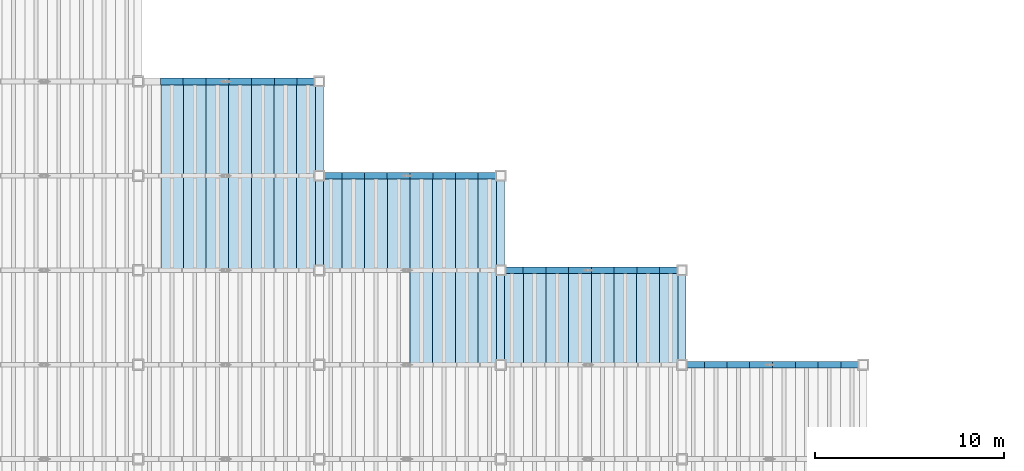
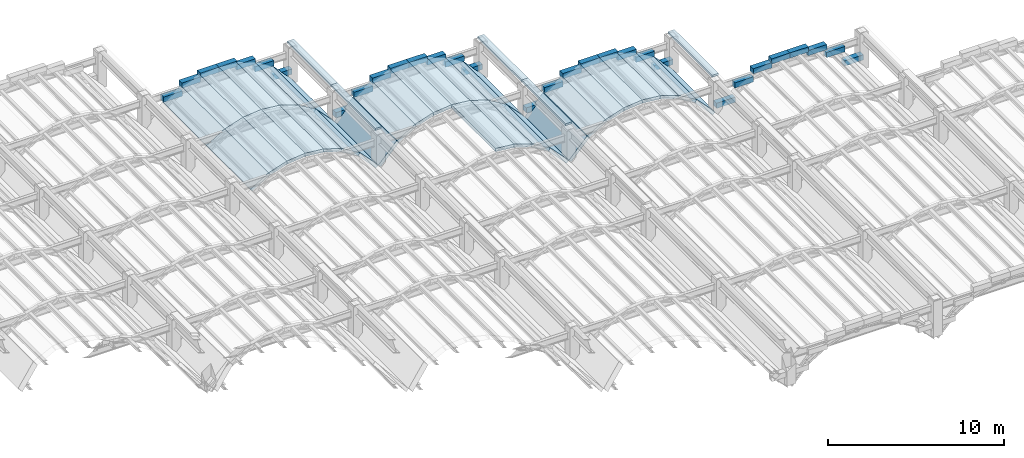
# One storey, part 39 of 70: 36 plates, 34 slabs.
"""IFC4 building model written with IfcOpenShell, lengths in metres."""

from ifc_helpers import new_model, si_unit, direction, frame, origin, origin_2d, place, context, subcontext, project, spatial, polyline, rectangle, outline, extrude, material, layer, layer_set, type_object, element, save


model = new_model("IFC4")

# Units and contexts
model_context = context("Model", 3, precision=1e-05, world=origin(), true_north=direction((0.0, 1.0)))
body_context = subcontext(model_context, "Body", "Model", "MODEL_VIEW")
ifc_project = project(units=[si_unit("LENGTHUNIT", "METRE"), si_unit("AREAUNIT", "SQUARE_METRE"), si_unit("VOLUMEUNIT", "CUBIC_METRE"), si_unit("PLANEANGLEUNIT", "RADIAN"), si_unit("MASSUNIT", "GRAM", prefix="KILO")], contexts=[model_context])

# Site, building, storey
site_placement = place(None, origin())
site = spatial("IfcSite", under=ifc_project, at=site_placement, CompositionType="ELEMENT")
building_placement = place(site_placement, origin())
building = spatial("IfcBuilding", under=site, at=building_placement, Name="Mavantir Sound Aquarium", CompositionType="ELEMENT")
storey_placement = place(building_placement, frame((0.0, 0.0, 27.0)))
storey = spatial("IfcBuildingStorey", under=building, at=storey_placement, Name="RF", CompositionType="ELEMENT", Elevation=27.0)

# Plates
ifc_material_1 = material(Name="Patinated Bronze-Copper Architectural Fascia", Category="metal")
ifc_layer_1 = layer(ifc_material_1, 0.179931640625, Name="Patinated Bronze-Copper Architectural Fascia")
ifc_layer_set_1 = layer_set([ifc_layer_1], Name="Patinated Bronze-Copper Architectural Fascia")
plate_type = type_object("IfcPlateType", Name="PLT-FASCIA-BZ", PredefinedType="SHEET", material=ifc_layer_set_1)
for number, where, z_axis, x_axis, name in (
    (1, (136.800048828125, 73.300048828125, -4.52001953125), (0.0, 0.0, 1.0), (1.0, 0.0, 0.0), "Scalloped roof bronze ridge fascia 32"),
    (2, (136.800048828125, 78.300048828125, -4.52001953125), (0.0, 0.0, 1.0), (1.0, 0.0, 0.0), "Scalloped roof bronze ridge fascia 33"),
    (3, (146.39990234375, 68.300048828125, -4.52001953125), (0.0, 0.0, 1.0), (1.0, 0.0, 0.0), "Scalloped roof bronze ridge fascia 38"),
    (4, (146.39990234375, 73.300048828125, -4.52001953125), (0.0, 0.0, 1.0), (1.0, 0.0, 0.0), "Scalloped roof bronze ridge fascia 39"),
    (5, (156.0, 68.300048828125, -4.52001953125), (0.0, 0.0, 1.0), (1.0, 0.0, 0.0), "Scalloped roof bronze ridge fascia 44"),
):
    element("IfcPlate", number, at=place(storey_placement, frame(where, z_axis=z_axis, x_axis=x_axis)), inside=storey, type_object=plate_type, Name=name, PredefinedType="SHEET", context=body_context, shape_type="SweptSolid", body=[
        extrude(rectangle(XDim=0.419921875, YDim=5.0, at=origin_2d()), origin(), (0.0, 0.0, 1.0), 0.139892578125),
    ])
for number, where, z_axis, x_axis, name in (
    (6, (129.0, 80.800048828125, -5.6455078125), (0.0, 0.0, 1.0), (1.0, 0.0, 0.0), "Scalloped bay 3 curved bronze end fascia 93"),
    (7, (130.199951171875, 80.800048828125, -5.08935546875), (0.0, 0.0, 1.0), (1.0, 0.0, 0.0), "Scalloped bay 3 curved bronze end fascia 94"),
    (8, (131.39990234375, 80.800048828125, -4.83203125), (0.0, 0.0, 1.0), (1.0, 0.0, 0.0), "Scalloped bay 3 curved bronze end fascia 95"),
    (9, (132.60009765625, 80.800048828125, -4.83203125), (0.0, 0.0, 1.0), (1.0, 0.0, 0.0), "Scalloped bay 3 curved bronze end fascia 96"),
    (10, (133.800048828125, 80.800048828125, -5.08935546875), (0.0, 0.0, 1.0), (1.0, 0.0, 0.0), "Scalloped bay 3 curved bronze end fascia 97"),
    (11, (135.0, 80.800048828125, -5.6455078125), (0.0, 0.0, 1.0), (1.0, 0.0, 0.0), "Scalloped bay 3 curved bronze end fascia 98"),
    (12, (136.199951171875, 80.800048828125, -6.638671875), (0.0, 0.0, 1.0), (1.0, 0.0, 0.0), "Scalloped bay 3 curved bronze end fascia 99"),
    (13, (137.39990234375, 75.800048828125, -6.638671875), (0.0, 0.0, 1.0), (1.0, 0.0, 0.0), "Scalloped bay 4 curved bronze end fascia 108"),
    (14, (138.60009765625, 75.800048828125, -5.6455078125), (0.0, 0.0, 1.0), (1.0, 0.0, 0.0), "Scalloped bay 4 curved bronze end fascia 109"),
    (15, (139.800048828125, 75.800048828125, -5.08935546875), (0.0, 0.0, 1.0), (1.0, 0.0, 0.0), "Scalloped bay 4 curved bronze end fascia 110"),
    (16, (141.0, 75.800048828125, -4.83203125), (0.0, 0.0, 1.0), (1.0, 0.0, 0.0), "Scalloped bay 4 curved bronze end fascia 111"),
    (17, (142.199951171875, 75.800048828125, -4.83203125), (0.0, 0.0, 1.0), (1.0, 0.0, 0.0), "Scalloped bay 4 curved bronze end fascia 112"),
    (18, (143.39990234375, 75.800048828125, -5.08935546875), (0.0, 0.0, 1.0), (1.0, 0.0, 0.0), "Scalloped bay 4 curved bronze end fascia 113"),
    (19, (144.60009765625, 75.800048828125, -5.6455078125), (0.0, 0.0, 1.0), (1.0, 0.0, 0.0), "Scalloped bay 4 curved bronze end fascia 114"),
    (20, (145.800048828125, 75.800048828125, -6.638671875), (0.0, 0.0, 1.0), (1.0, 0.0, 0.0), "Scalloped bay 4 curved bronze end fascia 115"),
    (21, (147.0, 70.800048828125, -6.638671875), (0.0, 0.0, 1.0), (1.0, 0.0, 0.0), "Scalloped bay 5 curved bronze end fascia 124"),
    (22, (148.199951171875, 70.800048828125, -5.6455078125), (0.0, 0.0, 1.0), (1.0, 0.0, 0.0), "Scalloped bay 5 curved bronze end fascia 125"),
    (23, (149.39990234375, 70.800048828125, -5.08935546875), (0.0, 0.0, 1.0), (1.0, 0.0, 0.0), "Scalloped bay 5 curved bronze end fascia 126"),
    (24, (150.60009765625, 70.800048828125, -4.83203125), (0.0, 0.0, 1.0), (1.0, 0.0, 0.0), "Scalloped bay 5 curved bronze end fascia 127"),
    (25, (151.800048828125, 70.800048828125, -4.83203125), (0.0, 0.0, 1.0), (1.0, 0.0, 0.0), "Scalloped bay 5 curved bronze end fascia 128"),
    (26, (153.0, 70.800048828125, -5.08935546875), (0.0, 0.0, 1.0), (1.0, 0.0, 0.0), "Scalloped bay 5 curved bronze end fascia 129"),
    (27, (154.199951171875, 70.800048828125, -5.6455078125), (0.0, 0.0, 1.0), (1.0, 0.0, 0.0), "Scalloped bay 5 curved bronze end fascia 130"),
    (28, (155.39990234375, 70.800048828125, -6.638671875), (0.0, 0.0, 1.0), (1.0, 0.0, 0.0), "Scalloped bay 5 curved bronze end fascia 131"),
    (29, (156.60009765625, 65.800048828125, -6.638671875), (0.0, 0.0, 1.0), (1.0, 0.0, 0.0), "Scalloped bay 6 curved bronze end fascia 140"),
    (30, (157.800048828125, 65.800048828125, -5.6455078125), (0.0, 0.0, 1.0), (1.0, 0.0, 0.0), "Scalloped bay 6 curved bronze end fascia 141"),
    (31, (159.0, 65.800048828125, -5.08935546875), (0.0, 0.0, 1.0), (1.0, 0.0, 0.0), "Scalloped bay 6 curved bronze end fascia 142"),
    (32, (160.199951171875, 65.800048828125, -4.83203125), (0.0, 0.0, 1.0), (1.0, 0.0, 0.0), "Scalloped bay 6 curved bronze end fascia 143"),
    (33, (161.39990234375, 65.800048828125, -4.83203125), (0.0, 0.0, 1.0), (1.0, 0.0, 0.0), "Scalloped bay 6 curved bronze end fascia 144"),
    (34, (162.60009765625, 65.800048828125, -5.08935546875), (0.0, 0.0, 1.0), (1.0, 0.0, 0.0), "Scalloped bay 6 curved bronze end fascia 145"),
    (35, (163.800048828125, 65.800048828125, -5.6455078125), (0.0, 0.0, 1.0), (1.0, 0.0, 0.0), "Scalloped bay 6 curved bronze end fascia 146"),
    (36, (165.0, 65.800048828125, -6.638671875), (0.0, 0.0, 1.0), (1.0, 0.0, 0.0), "Scalloped bay 6 curved bronze end fascia 147"),
):
    element("IfcPlate", number, at=place(storey_placement, frame(where, z_axis=z_axis, x_axis=x_axis)), inside=storey, type_object=plate_type, Name=name, PredefinedType="SHEET", context=body_context, shape_type="SweptSolid", body=[
        extrude(rectangle(XDim=1.219970703125, YDim=0.360107421875, at=origin_2d()), origin(), (0.0, 0.0, 1.0), 0.360107421875),
    ])

# Slabs
ifc_material_2 = material(Name="Concrete C40/50", Category="concrete")
ifc_layer_2 = layer(ifc_material_2, 0.219970703125, Name="Concrete C40/50")
ifc_layer_set_2 = layer_set([ifc_layer_2], Name="Concrete C40/50")
slab_type = type_object("IfcSlabType", Name="SLB-RF-SC", PredefinedType="ROOF", material=ifc_layer_set_2)
slab_1_placement = place(storey_placement, frame((128.39990234375, 70.800048828125, -5.716796875), z_axis=(-0.515827757501, 0.0, 0.856692316174), x_axis=(0.856692316174, 0.0, 0.515827757501)))
element("IfcSlab", 37, at=slab_1_placement, inside=storey, type_object=slab_type, Name="Scalloped bay 3 sagging-arc roof panel 178", PredefinedType="ROOF", context=body_context, shape_type="SweptSolid", body=[
    extrude(outline(polyline([(0.0, 0.0), (1.4009642550083266, 0.0), (1.4009642550083266, 5.0), (0.0, 5.0), (0.0, 0.0)])), origin(), (0.0, 0.0, -1.0), 0.219970703125),
])
slab_2_placement = place(storey_placement, frame((129.60009765625, 70.800048828125, -4.994140625), z_axis=(-0.309020441102, 0.0, 0.951055396379), x_axis=(0.951055396379, 0.0, 0.309020441102)))
element("IfcSlab", 38, at=slab_2_placement, inside=storey, type_object=slab_type, Name="Scalloped bay 3 sagging-arc roof panel 179", PredefinedType="ROOF", context=body_context, shape_type="SweptSolid", body=[
    extrude(outline(polyline([(0.0, 0.0), (1.2617048138772973, 0.0), (1.2617048138772973, 5.0), (0.0, 5.0), (0.0, 0.0)])), origin(), (0.0, 0.0, -1.0), 0.219970703125),
])
for number, where, z_axis, x_axis, name in (
    (39, (130.800048828125, 70.800048828125, -4.604248046875), (-0.103009624196, 0.0, 0.994680359373), (0.994680359373, 0.0, 0.103009624196), "Scalloped bay 3 sagging-arc roof panel 180"),
    (40, (132.0, 70.800048828125, -4.47998046875), (0.103009624196, 0.0, 0.994680359373), (0.994680359373, 0.0, -0.103009624196), "Scalloped bay 3 sagging-arc roof panel 181"),
):
    element("IfcSlab", number, at=place(storey_placement, frame(where, z_axis=z_axis, x_axis=x_axis)), inside=storey, type_object=slab_type, Name=name, PredefinedType="ROOF", context=body_context, shape_type="SweptSolid", body=[
        extrude(outline(polyline([(0.0, 0.0), (1.206368619393442, 0.0), (1.206368619393442, 5.000000000000001), (0.0, 5.000000000000001), (0.0, 0.0)])), origin(), (0.0, 0.0, -1.0), 0.219970703125),
    ])
slab_3_placement = place(storey_placement, frame((133.199951171875, 70.800048828125, -4.604248046875), z_axis=(0.309020441102, 0.0, 0.951055396379), x_axis=(0.951055396379, 0.0, -0.309020441102)))
element("IfcSlab", 41, at=slab_3_placement, inside=storey, type_object=slab_type, Name="Scalloped bay 3 sagging-arc roof panel 182", PredefinedType="ROOF", context=body_context, shape_type="SweptSolid", body=[
    extrude(outline(polyline([(0.0, 0.0), (1.2617048138772973, 0.0), (1.2617048138772973, 5.0), (0.0, 5.0), (0.0, 0.0)])), origin(), (0.0, 0.0, -1.0), 0.219970703125),
])
slab_4_placement = place(storey_placement, frame((134.39990234375, 70.800048828125, -4.994140625), z_axis=(0.515827757501, 0.0, 0.856692316174), x_axis=(0.856692316174, 0.0, -0.515827757501)))
element("IfcSlab", 42, at=slab_4_placement, inside=storey, type_object=slab_type, Name="Scalloped bay 3 sagging-arc roof panel 183", PredefinedType="ROOF", context=body_context, shape_type="SweptSolid", body=[
    extrude(outline(polyline([(0.0, 0.0), (1.4009642550083266, 0.0), (1.4009642550083266, 5.0), (0.0, 5.0), (0.0, 0.0)])), origin(), (0.0, 0.0, -1.0), 0.219970703125),
])
slab_5_placement = place(storey_placement, frame((135.60009765625, 70.800048828125, -5.716796875), z_axis=(0.725020424784, 0.0, 0.688727365252), x_axis=(0.688727365252, 0.0, -0.725020424784)))
element("IfcSlab", 43, at=slab_5_placement, inside=storey, type_object=slab_type, Name="Scalloped bay 3 sagging-arc roof panel 184", PredefinedType="ROOF", context=body_context, shape_type="SweptSolid", body=[
    extrude(outline(polyline([(0.0, 0.0), (1.74227311475651, 0.0), (1.74227311475651, 5.0), (0.0, 5.0), (0.0, 0.0)])), origin(), (0.0, 0.0, -1.0), 0.219970703125),
])
slab_6_placement = place(storey_placement, frame((128.39990234375, 75.800048828125, -5.716796875), z_axis=(-0.515827757501, 0.0, 0.856692316174), x_axis=(0.856692316174, 0.0, 0.515827757501)))
element("IfcSlab", 44, at=slab_6_placement, inside=storey, type_object=slab_type, Name="Scalloped bay 3 sagging-arc roof panel 186", PredefinedType="ROOF", context=body_context, shape_type="SweptSolid", body=[
    extrude(outline(polyline([(0.0, 0.0), (1.4009642550083266, 0.0), (1.4009642550083266, 5.0), (0.0, 5.0), (0.0, 0.0)])), origin(), (0.0, 0.0, -1.0), 0.219970703125),
])
slab_7_placement = place(storey_placement, frame((129.60009765625, 75.800048828125, -4.994140625), z_axis=(-0.309020441102, 0.0, 0.951055396379), x_axis=(0.951055396379, 0.0, 0.309020441102)))
element("IfcSlab", 45, at=slab_7_placement, inside=storey, type_object=slab_type, Name="Scalloped bay 3 sagging-arc roof panel 187", PredefinedType="ROOF", context=body_context, shape_type="SweptSolid", body=[
    extrude(outline(polyline([(0.0, 0.0), (1.2617048138772973, 0.0), (1.2617048138772973, 5.0), (0.0, 5.0), (0.0, 0.0)])), origin(), (0.0, 0.0, -1.0), 0.219970703125),
])
for number, where, z_axis, x_axis, name in (
    (46, (130.800048828125, 75.800048828125, -4.604248046875), (-0.103009624196, 0.0, 0.994680359373), (0.994680359373, 0.0, 0.103009624196), "Scalloped bay 3 sagging-arc roof panel 188"),
    (47, (132.0, 75.800048828125, -4.47998046875), (0.103009624196, 0.0, 0.994680359373), (0.994680359373, 0.0, -0.103009624196), "Scalloped bay 3 sagging-arc roof panel 189"),
):
    element("IfcSlab", number, at=place(storey_placement, frame(where, z_axis=z_axis, x_axis=x_axis)), inside=storey, type_object=slab_type, Name=name, PredefinedType="ROOF", context=body_context, shape_type="SweptSolid", body=[
        extrude(outline(polyline([(0.0, 0.0), (1.206368619393442, 0.0), (1.206368619393442, 5.000000000000001), (0.0, 5.000000000000001), (0.0, 0.0)])), origin(), (0.0, 0.0, -1.0), 0.219970703125),
    ])
slab_8_placement = place(storey_placement, frame((133.199951171875, 75.800048828125, -4.604248046875), z_axis=(0.309020441102, 0.0, 0.951055396379), x_axis=(0.951055396379, 0.0, -0.309020441102)))
element("IfcSlab", 48, at=slab_8_placement, inside=storey, type_object=slab_type, Name="Scalloped bay 3 sagging-arc roof panel 190", PredefinedType="ROOF", context=body_context, shape_type="SweptSolid", body=[
    extrude(outline(polyline([(0.0, 0.0), (1.2617048138772973, 0.0), (1.2617048138772973, 5.0), (0.0, 5.0), (0.0, 0.0)])), origin(), (0.0, 0.0, -1.0), 0.219970703125),
])
slab_9_placement = place(storey_placement, frame((134.39990234375, 75.800048828125, -4.994140625), z_axis=(0.515827757501, 0.0, 0.856692316174), x_axis=(0.856692316174, 0.0, -0.515827757501)))
element("IfcSlab", 49, at=slab_9_placement, inside=storey, type_object=slab_type, Name="Scalloped bay 3 sagging-arc roof panel 191", PredefinedType="ROOF", context=body_context, shape_type="SweptSolid", body=[
    extrude(outline(polyline([(0.0, 0.0), (1.4009642550083266, 0.0), (1.4009642550083266, 5.0), (0.0, 5.0), (0.0, 0.0)])), origin(), (0.0, 0.0, -1.0), 0.219970703125),
])
slab_10_placement = place(storey_placement, frame((135.60009765625, 75.800048828125, -5.716796875), z_axis=(0.725020424784, 0.0, 0.688727365252), x_axis=(0.688727365252, 0.0, -0.725020424784)))
element("IfcSlab", 50, at=slab_10_placement, inside=storey, type_object=slab_type, Name="Scalloped bay 3 sagging-arc roof panel 192", PredefinedType="ROOF", context=body_context, shape_type="SweptSolid", body=[
    extrude(outline(polyline([(0.0, 0.0), (1.74227311475651, 0.0), (1.74227311475651, 5.0), (0.0, 5.0), (0.0, 0.0)])), origin(), (0.0, 0.0, -1.0), 0.219970703125),
])
slab_11_placement = place(storey_placement, frame((141.60009765625, 65.800048828125, -4.47998046875), z_axis=(0.103009624196, 0.0, 0.994680359373), x_axis=(0.994680359373, 0.0, -0.103009624196)))
element("IfcSlab", 51, at=slab_11_placement, inside=storey, type_object=slab_type, Name="Scalloped bay 4 sagging-arc roof panel 229", PredefinedType="ROOF", context=body_context, shape_type="SweptSolid", body=[
    extrude(outline(polyline([(0.0, 0.0), (1.206368619393442, 0.0), (1.206368619393442, 5.000000000000001), (0.0, 5.000000000000001), (0.0, 0.0)])), origin(), (0.0, 0.0, -1.0), 0.219970703125),
])
slab_12_placement = place(storey_placement, frame((142.800048828125, 65.800048828125, -4.604248046875), z_axis=(0.309020441102, 0.0, 0.951055396379), x_axis=(0.951055396379, 0.0, -0.309020441102)))
element("IfcSlab", 52, at=slab_12_placement, inside=storey, type_object=slab_type, Name="Scalloped bay 4 sagging-arc roof panel 230", PredefinedType="ROOF", context=body_context, shape_type="SweptSolid", body=[
    extrude(outline(polyline([(0.0, 0.0), (1.2617048138772973, 0.0), (1.2617048138772973, 5.0), (0.0, 5.0), (0.0, 0.0)])), origin(), (0.0, 0.0, -1.0), 0.219970703125),
])
slab_13_placement = place(storey_placement, frame((144.0, 65.800048828125, -4.994140625), z_axis=(0.515904776109, 0.0, 0.856645937356), x_axis=(0.856645937356, 0.0, -0.515904776109)))
element("IfcSlab", 53, at=slab_13_placement, inside=storey, type_object=slab_type, Name="Scalloped bay 4 sagging-arc roof panel 231", PredefinedType="ROOF", context=body_context, shape_type="SweptSolid", body=[
    extrude(outline(polyline([(0.0, 0.0), (1.4007551072718774, 0.0), (1.4007551072718774, 5.0), (0.0, 5.0), (0.0, 0.0)])), origin(), (0.0, 0.0, -1.0), 0.219970703125),
])
for number, where, z_axis, x_axis, name in (
    (54, (145.199951171875, 65.800048828125, -5.716796875), (0.725020424784, 0.0, 0.688727365252), (0.688727365252, 0.0, -0.725020424784), "Scalloped bay 4 sagging-arc roof panel 232"),
    (55, (136.800048828125, 70.800048828125, -6.97998046875), (-0.725020424784, 0.0, 0.688727365252), (0.688727365252, 0.0, 0.725020424784), "Scalloped bay 4 sagging-arc roof panel 233"),
):
    element("IfcSlab", number, at=place(storey_placement, frame(where, z_axis=z_axis, x_axis=x_axis)), inside=storey, type_object=slab_type, Name=name, PredefinedType="ROOF", context=body_context, shape_type="SweptSolid", body=[
        extrude(outline(polyline([(0.0, 0.0), (1.74227311475651, 0.0), (1.74227311475651, 5.0), (0.0, 5.0), (0.0, 0.0)])), origin(), (0.0, 0.0, -1.0), 0.219970703125),
    ])
slab_14_placement = place(storey_placement, frame((138.0, 70.800048828125, -5.716796875), z_axis=(-0.515904776109, 0.0, 0.856645937356), x_axis=(0.856645937356, 0.0, 0.515904776109)))
element("IfcSlab", 56, at=slab_14_placement, inside=storey, type_object=slab_type, Name="Scalloped bay 4 sagging-arc roof panel 234", PredefinedType="ROOF", context=body_context, shape_type="SweptSolid", body=[
    extrude(outline(polyline([(0.0, 0.0), (1.4007551072718774, 0.0), (1.4007551072718774, 5.0), (0.0, 5.0), (0.0, 0.0)])), origin(), (0.0, 0.0, -1.0), 0.219970703125),
])
slab_15_placement = place(storey_placement, frame((139.199951171875, 70.800048828125, -4.994140625), z_axis=(-0.309020441102, 0.0, 0.951055396379), x_axis=(0.951055396379, 0.0, 0.309020441102)))
element("IfcSlab", 57, at=slab_15_placement, inside=storey, type_object=slab_type, Name="Scalloped bay 4 sagging-arc roof panel 235", PredefinedType="ROOF", context=body_context, shape_type="SweptSolid", body=[
    extrude(outline(polyline([(0.0, 0.0), (1.2617048138772973, 0.0), (1.2617048138772973, 5.0), (0.0, 5.0), (0.0, 0.0)])), origin(), (0.0, 0.0, -1.0), 0.219970703125),
])
slab_16_placement = place(storey_placement, frame((140.39990234375, 70.800048828125, -4.604248046875), z_axis=(-0.102988892519, 0.0, 0.994682506138), x_axis=(0.994682506138, 0.0, 0.102988892519)))
element("IfcSlab", 58, at=slab_16_placement, inside=storey, type_object=slab_type, Name="Scalloped bay 4 sagging-arc roof panel 236", PredefinedType="ROOF", context=body_context, shape_type="SweptSolid", body=[
    extrude(outline(polyline([(0.0, 0.0), (1.206611461540137, 0.0), (1.206611461540137, 5.000000000000001), (0.0, 5.000000000000001), (0.0, 0.0)])), origin(), (0.0, 0.0, -1.0), 0.219970703125),
])
slab_17_placement = place(storey_placement, frame((141.60009765625, 70.800048828125, -4.47998046875), z_axis=(0.103009624196, 0.0, 0.994680359373), x_axis=(0.994680359373, 0.0, -0.103009624196)))
element("IfcSlab", 59, at=slab_17_placement, inside=storey, type_object=slab_type, Name="Scalloped bay 4 sagging-arc roof panel 237", PredefinedType="ROOF", context=body_context, shape_type="SweptSolid", body=[
    extrude(outline(polyline([(0.0, 0.0), (1.206368619393442, 0.0), (1.206368619393442, 5.000000000000001), (0.0, 5.000000000000001), (0.0, 0.0)])), origin(), (0.0, 0.0, -1.0), 0.219970703125),
])
slab_18_placement = place(storey_placement, frame((142.800048828125, 70.800048828125, -4.604248046875), z_axis=(0.309020441102, 0.0, 0.951055396379), x_axis=(0.951055396379, 0.0, -0.309020441102)))
element("IfcSlab", 60, at=slab_18_placement, inside=storey, type_object=slab_type, Name="Scalloped bay 4 sagging-arc roof panel 238", PredefinedType="ROOF", context=body_context, shape_type="SweptSolid", body=[
    extrude(outline(polyline([(0.0, 0.0), (1.2617048138772973, 0.0), (1.2617048138772973, 5.0), (0.0, 5.0), (0.0, 0.0)])), origin(), (0.0, 0.0, -1.0), 0.219970703125),
])
slab_19_placement = place(storey_placement, frame((144.0, 70.800048828125, -4.994140625), z_axis=(0.515904776109, 0.0, 0.856645937356), x_axis=(0.856645937356, 0.0, -0.515904776109)))
element("IfcSlab", 61, at=slab_19_placement, inside=storey, type_object=slab_type, Name="Scalloped bay 4 sagging-arc roof panel 239", PredefinedType="ROOF", context=body_context, shape_type="SweptSolid", body=[
    extrude(outline(polyline([(0.0, 0.0), (1.4007551072718774, 0.0), (1.4007551072718774, 5.0), (0.0, 5.0), (0.0, 0.0)])), origin(), (0.0, 0.0, -1.0), 0.219970703125),
])
slab_20_placement = place(storey_placement, frame((145.199951171875, 70.800048828125, -5.716796875), z_axis=(0.725020424784, 0.0, 0.688727365252), x_axis=(0.688727365252, 0.0, -0.725020424784)))
element("IfcSlab", 62, at=slab_20_placement, inside=storey, type_object=slab_type, Name="Scalloped bay 4 sagging-arc roof panel 240", PredefinedType="ROOF", context=body_context, shape_type="SweptSolid", body=[
    extrude(outline(polyline([(0.0, 0.0), (1.74227311475651, 0.0), (1.74227311475651, 5.0), (0.0, 5.0), (0.0, 0.0)])), origin(), (0.0, 0.0, -1.0), 0.219970703125),
])
slab_21_placement = place(storey_placement, frame((146.39990234375, 65.800048828125, -6.97998046875), z_axis=(-0.724950456261, 0.0, 0.688801013332), x_axis=(0.688801013332, 0.0, 0.724950456261)))
element("IfcSlab", 63, at=slab_21_placement, inside=storey, type_object=slab_type, Name="Scalloped bay 5 sagging-arc roof panel 273", PredefinedType="ROOF", context=body_context, shape_type="SweptSolid", body=[
    extrude(outline(polyline([(0.0, 0.0), (1.7424412700765952, 0.0), (1.7424412700765952, 5.0), (0.0, 5.0), (0.0, 0.0)])), origin(), (0.0, 0.0, -1.0), 0.219970703125),
])
slab_22_placement = place(storey_placement, frame((147.60009765625, 65.800048828125, -5.716796875), z_axis=(-0.515904776109, 0.0, 0.856645937356), x_axis=(0.856645937356, 0.0, 0.515904776109)))
element("IfcSlab", 64, at=slab_22_placement, inside=storey, type_object=slab_type, Name="Scalloped bay 5 sagging-arc roof panel 274", PredefinedType="ROOF", context=body_context, shape_type="SweptSolid", body=[
    extrude(outline(polyline([(0.0, 0.0), (1.4007551072718774, 0.0), (1.4007551072718774, 5.0), (0.0, 5.0), (0.0, 0.0)])), origin(), (0.0, 0.0, -1.0), 0.219970703125),
])
slab_23_placement = place(storey_placement, frame((148.800048828125, 65.800048828125, -4.994140625), z_axis=(-0.309020441102, 0.0, 0.951055396379), x_axis=(0.951055396379, 0.0, 0.309020441102)))
element("IfcSlab", 65, at=slab_23_placement, inside=storey, type_object=slab_type, Name="Scalloped bay 5 sagging-arc roof panel 275", PredefinedType="ROOF", context=body_context, shape_type="SweptSolid", body=[
    extrude(outline(polyline([(0.0, 0.0), (1.2617048138772973, 0.0), (1.2617048138772973, 5.0), (0.0, 5.0), (0.0, 0.0)])), origin(), (0.0, 0.0, -1.0), 0.219970703125),
])
for number, where, z_axis, x_axis, name in (
    (66, (150.0, 65.800048828125, -4.604248046875), (-0.103009624196, 0.0, 0.994680359373), (0.994680359373, 0.0, 0.103009624196), "Scalloped bay 5 sagging-arc roof panel 276"),
    (67, (151.199951171875, 65.800048828125, -4.47998046875), (0.103009624196, 0.0, 0.994680359373), (0.994680359373, 0.0, -0.103009624196), "Scalloped bay 5 sagging-arc roof panel 277"),
):
    element("IfcSlab", number, at=place(storey_placement, frame(where, z_axis=z_axis, x_axis=x_axis)), inside=storey, type_object=slab_type, Name=name, PredefinedType="ROOF", context=body_context, shape_type="SweptSolid", body=[
        extrude(outline(polyline([(0.0, 0.0), (1.206368619393442, 0.0), (1.206368619393442, 5.000000000000001), (0.0, 5.000000000000001), (0.0, 0.0)])), origin(), (0.0, 0.0, -1.0), 0.219970703125),
    ])
slab_24_placement = place(storey_placement, frame((152.39990234375, 65.800048828125, -4.604248046875), z_axis=(0.30896358205, 0.0, 0.951073869353), x_axis=(0.951073869353, 0.0, -0.30896358205)))
element("IfcSlab", 68, at=slab_24_placement, inside=storey, type_object=slab_type, Name="Scalloped bay 5 sagging-arc roof panel 278", PredefinedType="ROOF", context=body_context, shape_type="SweptSolid", body=[
    extrude(outline(polyline([(0.0, 0.0), (1.261937007391388, 0.0), (1.261937007391388, 5.0), (0.0, 5.0), (0.0, 0.0)])), origin(), (0.0, 0.0, -1.0), 0.219970703125),
])
slab_25_placement = place(storey_placement, frame((153.60009765625, 65.800048828125, -4.994140625), z_axis=(0.515904776109, 0.0, 0.856645937356), x_axis=(0.856645937356, 0.0, -0.515904776109)))
element("IfcSlab", 69, at=slab_25_placement, inside=storey, type_object=slab_type, Name="Scalloped bay 5 sagging-arc roof panel 279", PredefinedType="ROOF", context=body_context, shape_type="SweptSolid", body=[
    extrude(outline(polyline([(0.0, 0.0), (1.4007551072718774, 0.0), (1.4007551072718774, 5.0), (0.0, 5.0), (0.0, 0.0)])), origin(), (0.0, 0.0, -1.0), 0.219970703125),
])
slab_26_placement = place(storey_placement, frame((154.800048828125, 65.800048828125, -5.716796875), z_axis=(0.725020424784, 0.0, 0.688727365252), x_axis=(0.688727365252, 0.0, -0.725020424784)))
element("IfcSlab", 70, at=slab_26_placement, inside=storey, type_object=slab_type, Name="Scalloped bay 5 sagging-arc roof panel 280", PredefinedType="ROOF", context=body_context, shape_type="SweptSolid", body=[
    extrude(outline(polyline([(0.0, 0.0), (1.74227311475651, 0.0), (1.74227311475651, 5.0), (0.0, 5.0), (0.0, 0.0)])), origin(), (0.0, 0.0, -1.0), 0.219970703125),
])

save(model, "model.ifc")
